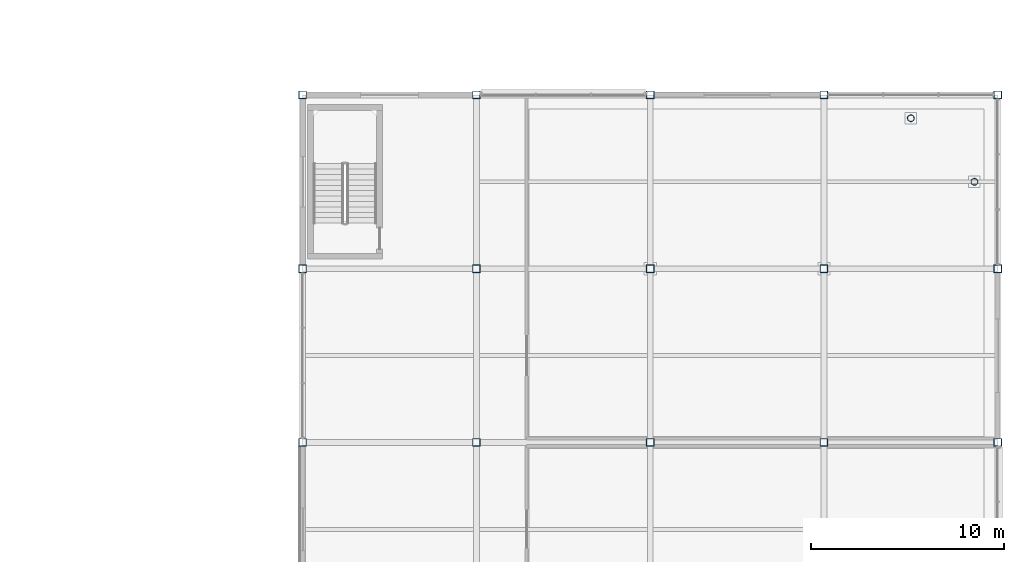
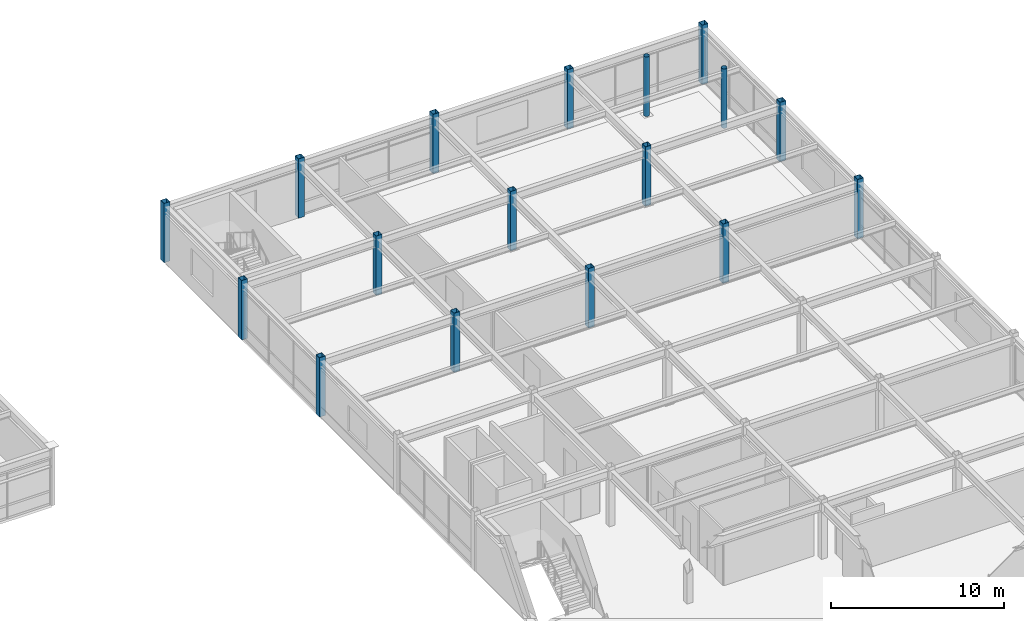
# One storey, part 14 of 70: 17 columns.
"""IFC4 building model written with IfcOpenShell, lengths in metres."""

from ifc_helpers import new_model, si_unit, direction, frame, origin, origin_2d, place, context, subcontext, project, spatial, hollow_rectangle, hollow_circle, extrude, material, material_profile, profile_set, type_object, element, save


model = new_model("IFC4")

# Units and contexts
model_context = context("Model", 3, precision=1e-05, world=origin(), true_north=direction((0.0, 1.0)))
body_context = subcontext(model_context, "Body", "Model", "MODEL_VIEW")
ifc_project = project(units=[si_unit("LENGTHUNIT", "METRE"), si_unit("AREAUNIT", "SQUARE_METRE"), si_unit("VOLUMEUNIT", "CUBIC_METRE"), si_unit("PLANEANGLEUNIT", "RADIAN"), si_unit("MASSUNIT", "GRAM", prefix="KILO")], contexts=[model_context])

# Site, building, storey
site_placement = place(None, origin())
site = spatial("IfcSite", under=ifc_project, at=site_placement, CompositionType="ELEMENT")
building_placement = place(site_placement, origin())
building = spatial("IfcBuilding", under=site, at=building_placement, Name="Suzunagisa Mobility Hub", CompositionType="ELEMENT")
storey_placement = place(building_placement, frame((0.0, 0.0, 13.5)))
storey = spatial("IfcBuildingStorey", under=building, at=storey_placement, Name="L03", CompositionType="ELEMENT", Elevation=13.5)

# Columns
ifc_material = material(Name="Steel SN490B", Category="steel")
ifc_material_profile_1 = material_profile(ifc_material, hollow_rectangle(XDim=0.39990234375, YDim=0.39990234375, WallThickness=0.01904296875, at=origin_2d()), Name="BCR-400x400x19")
ifc_profile_set_1 = profile_set([ifc_material_profile_1], Name="Steel SN490B")
column_type_1 = type_object("IfcColumnType", Name="Steel Column CL-13 BCR-400x400x19", PredefinedType="COLUMN", material=ifc_profile_set_1)
for number, where, z_axis, x_axis, name in (
    (1, (144.0, 80.0, 0.0), (0.0, 0.0, 1.0), (1.0, 0.0, 0.0), "L03 Column 260"),
    (2, (144.0, 89.0, 0.0), (0.0, 0.0, 1.0), (1.0, 0.0, 0.0), "L03 Column 261"),
    (3, (144.0, 98.0, 0.0), (0.0, 0.0, 1.0), (1.0, 0.0, 0.0), "L03 Column 262"),
    (4, (153.0, 80.0, 0.0), (0.0, 0.0, 1.0), (1.0, 0.0, 0.0), "L03 Column 273"),
    (5, (153.0, 89.0, 0.0), (0.0, 0.0, 1.0), (1.0, 0.0, 0.0), "L03 Column 274"),
    (6, (153.0, 98.0, 0.0), (0.0, 0.0, 1.0), (1.0, 0.0, 0.0), "L03 Column 275"),
    (7, (162.0, 80.0, 0.0), (0.0, 0.0, 1.0), (1.0, 0.0, 0.0), "L03 Column 292"),
    (8, (162.0, 89.0, 0.0), (0.0, 0.0, 1.0), (1.0, 0.0, 0.0), "L03 Column 293"),
    (9, (162.0, 98.0, 0.0), (0.0, 0.0, 1.0), (1.0, 0.0, 0.0), "L03 Column 294"),
    (10, (171.0, 80.0, 0.0), (0.0, 0.0, 1.0), (1.0, 0.0, 0.0), "L03 Column 305"),
    (11, (171.0, 89.0, 0.0), (0.0, 0.0, 1.0), (1.0, 0.0, 0.0), "L03 Column 306"),
    (12, (171.0, 98.0, 0.0), (0.0, 0.0, 1.0), (1.0, 0.0, 0.0), "L03 Column 307"),
    (13, (180.0, 80.0, 0.0), (0.0, 0.0, 1.0), (1.0, 0.0, 0.0), "L03 Column 329"),
    (14, (180.0, 89.0, 0.0), (0.0, 0.0, 1.0), (1.0, 0.0, 0.0), "L03 Column 330"),
    (15, (180.0, 98.0, 0.0), (0.0, 0.0, 1.0), (1.0, 0.0, 0.0), "L03 Column 331"),
):
    element("IfcColumn", number, at=place(storey_placement, frame(where, z_axis=z_axis, x_axis=x_axis)), inside=storey, type_object=column_type_1, Name=name, PredefinedType="COLUMN", context=body_context, shape_type="SweptSolid", body=[
        extrude(hollow_rectangle(XDim=0.39990234375, YDim=0.39990234375, WallThickness=0.01904296875, at=origin_2d()), origin(), (0.0, 0.0, 1.0), 4.199951171875),
    ])
ifc_material_profile_2 = material_profile(ifc_material, hollow_circle(Radius=0.177734375, WallThickness=0.0126953125, at=origin_2d()), Name="CHS-355.6x12.7")
ifc_profile_set_2 = profile_set([ifc_material_profile_2], Name="Steel SN490B")
column_type_2 = type_object("IfcColumnType", Name="Steel Column CL-18 CHS-355.6x12.7", PredefinedType="COLUMN", material=ifc_profile_set_2)
for number, where, z_axis, x_axis, name in (
    (16, (175.5, 96.794189453125, 0.0), (0.0, 0.0, 1.0), (1.0, 0.0, 0.0), "L03 Column 313"),
    (17, (178.794189453125, 93.5, 0.0), (0.0, 0.0, 1.0), (1.0, 0.0, 0.0), "L03 Column 319"),
):
    element("IfcColumn", number, at=place(storey_placement, frame(where, z_axis=z_axis, x_axis=x_axis)), inside=storey, type_object=column_type_2, Name=name, PredefinedType="COLUMN", context=body_context, shape_type="SweptSolid", body=[
        extrude(hollow_circle(Radius=0.177734375, WallThickness=0.0126953125, at=origin_2d()), origin(), (0.0, 0.0, 1.0), 4.199951171875),
    ])

save(model, "model.ifc")
